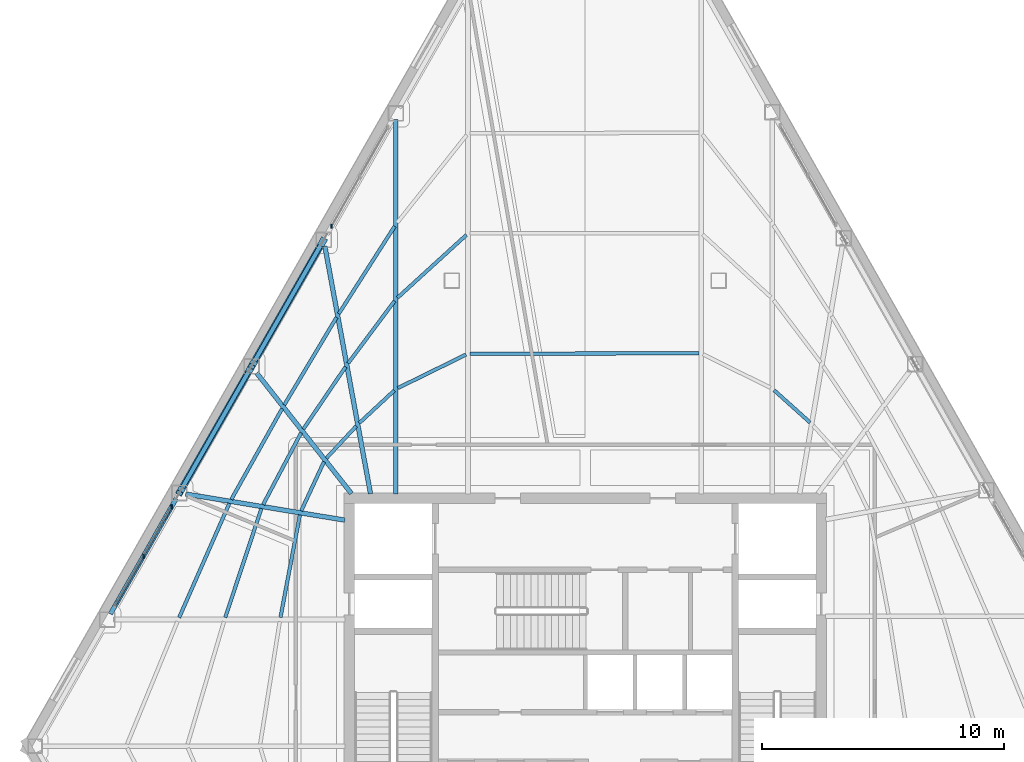
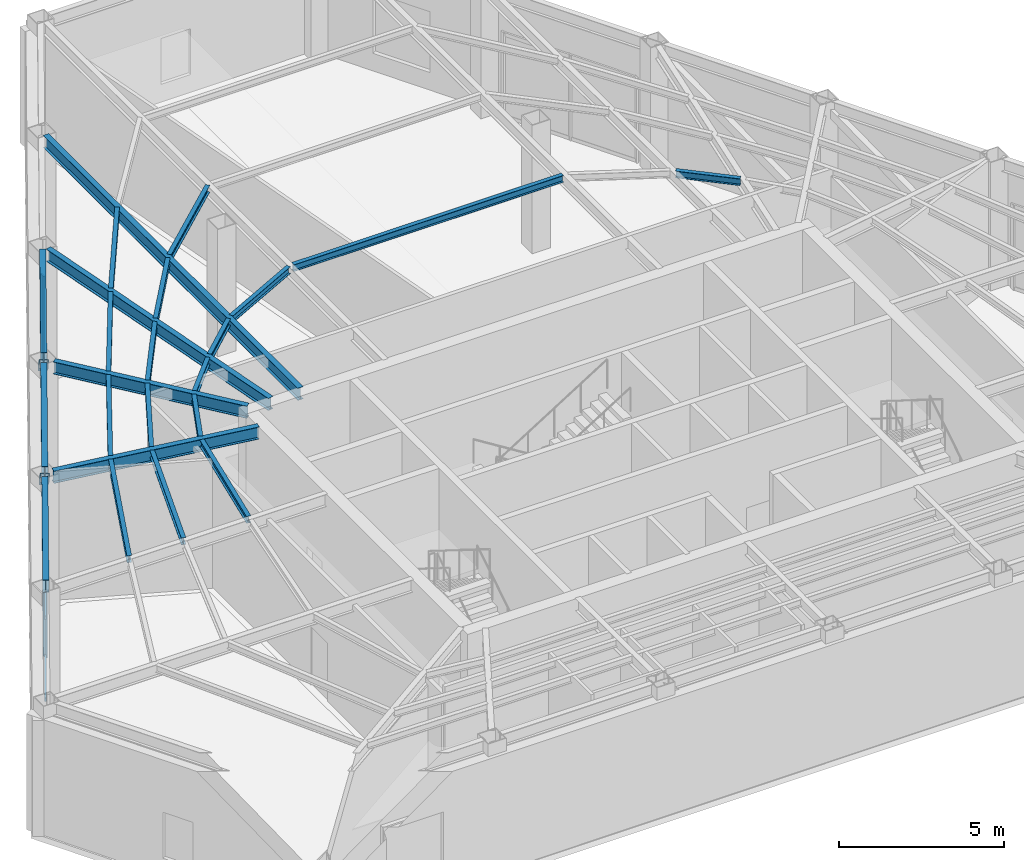
# One storey, part 4 of 14: 23 beams, 7 members, 2 elements without a shape of their own.
"""IFC4 building model written with IfcOpenShell, lengths in metres."""

from ifc_helpers import new_model, si_unit, direction, frame, origin, origin_2d, place, context, subcontext, project, spatial, rectangle, hollow_rectangle, i_section, extrude, material, layer, layer_set, material_profile, profile_set, type_object, element, aggregate, save


model = new_model("IFC4")

# Units and contexts
model_context = context("Model", 3, precision=1e-05, world=origin(), true_north=direction((0.0, 1.0)))
body_context = subcontext(model_context, "Body", "Model", "MODEL_VIEW")
ifc_project = project(units=[si_unit("LENGTHUNIT", "METRE"), si_unit("AREAUNIT", "SQUARE_METRE"), si_unit("VOLUMEUNIT", "CUBIC_METRE"), si_unit("PLANEANGLEUNIT", "RADIAN"), si_unit("MASSUNIT", "GRAM", prefix="KILO")], contexts=[model_context])

# Site, building, storey
site_placement = place(None, origin())
site = spatial("IfcSite", under=ifc_project, at=site_placement, CompositionType="ELEMENT")
building_placement = place(site_placement, origin())
building = spatial("IfcBuilding", under=site, at=building_placement, Name="Kavelnor Concourse Tower", CompositionType="ELEMENT")
storey_placement = place(building_placement, frame((0.0, 0.0, 160.0)))
storey = spatial("IfcBuildingStorey", under=building, at=storey_placement, Name="L40", CompositionType="ELEMENT", Elevation=160.0)

# Beams
ifc_material_1 = material(Name="Steel Grade 350", Category="steel")
ifc_material_profile_1 = material_profile(ifc_material_1, i_section(OverallWidth=0.14599609375, OverallDepth=0.256103515625, WebThickness=0.00634765625, FlangeThickness=0.010986328125, at=origin_2d()), Name="250UB37")
ifc_profile_set_1 = profile_set([ifc_material_profile_1], Name="Steel Grade 350")
beam_type_1 = type_object("IfcBeamType", Name="BM-JOIST-250", PredefinedType="JOIST", material=ifc_profile_set_1)
beam_1_placement = place(storey_placement, frame((47.27490234375, 25.940673828125, 4.6220703125), z_axis=(-0.743767477314, 0.668438433732, 0.0), x_axis=(-0.668438433732, -0.743767477314, 0.0)))
element("IfcBeam", 1, at=beam_1_placement, inside=storey, type_object=beam_type_1, Name="L40 Secondary Composite Joist 13-1", PredefinedType="JOIST", context=body_context, shape_type="SweptSolid", body=[
    extrude(i_section(OverallWidth=0.14599609375, OverallDepth=0.256103515625, WebThickness=0.00634765625, FlangeThickness=0.010986328125, at=origin_2d()), origin(), (0.0, 0.0, 1.0), 1.999755859375),
])
beam_2_placement = place(storey_placement, frame((42.689697265625, 28.792724609375, 4.6220703125), z_axis=(-0.999999566483, -0.000931146459, 0.0), x_axis=(0.000931146459, -0.999999566483, 0.0)))
element("IfcBeam", 2, at=beam_2_placement, inside=storey, type_object=beam_type_1, Name="L40 Secondary Composite Joist 15-1", PredefinedType="JOIST", context=body_context, shape_type="SweptSolid", body=[
    extrude(i_section(OverallWidth=0.14599609375, OverallDepth=0.256103515625, WebThickness=0.00634765625, FlangeThickness=0.010986328125, at=origin_2d()), origin(), (0.0, 0.0, 1.0), 9.43896484375),
])
beam_3_placement = place(storey_placement, frame((33.081787109375, 28.74462890625, 4.6220703125), z_axis=(-0.897639081402, -0.440731300841, 0.0), x_axis=(0.440731300841, -0.897639081402, 0.0)))
element("IfcBeam", 3, at=beam_3_placement, inside=storey, type_object=beam_type_1, Name="L40 Secondary Composite Joist 16-1", PredefinedType="JOIST", context=body_context, shape_type="SweptSolid", body=[
    extrude(i_section(OverallWidth=0.14599609375, OverallDepth=0.256103515625, WebThickness=0.00634765625, FlangeThickness=0.010986328125, at=origin_2d()), origin(), (0.0, 0.0, 1.0), 3.13916015625),
])
beam_4_placement = place(storey_placement, frame((33.095947265625, 33.681396484375, 4.6220703125), z_axis=(-0.738938207024, -0.673773200863, 0.0), x_axis=(0.673773200863, -0.738938207024, 0.0)))
element("IfcBeam", 4, at=beam_4_placement, inside=storey, type_object=beam_type_1, Name="L40 Secondary Composite Joist 16-2", PredefinedType="JOIST", context=body_context, shape_type="SweptSolid", body=[
    extrude(i_section(OverallWidth=0.14599609375, OverallDepth=0.256103515625, WebThickness=0.00634765625, FlangeThickness=0.010986328125, at=origin_2d()), origin(), (0.0, 0.0, 1.0), 3.851318359375),
])
beam_5_placement = place(storey_placement, frame((30.118896484375, 27.26123046875, 4.6220703125), z_axis=(-0.732373702553, -0.680902900426, 0.0), x_axis=(0.680902900426, -0.732373702553, 0.0)))
element("IfcBeam", 5, at=beam_5_placement, inside=storey, type_object=beam_type_1, Name="L40 Secondary Composite Joist 17-1", PredefinedType="JOIST", context=body_context, shape_type="SweptSolid", body=[
    extrude(i_section(OverallWidth=0.14599609375, OverallDepth=0.256103515625, WebThickness=0.00634765625, FlangeThickness=0.010986328125, at=origin_2d()), origin(), (0.0, 0.0, 1.0), 1.968505859375),
])
beam_6_placement = place(storey_placement, frame((30.130859375, 30.955078125, 4.6220703125), z_axis=(-0.597806476902, -0.80164045318, 0.0), x_axis=(0.80164045318, -0.597806476902, 0.0)))
element("IfcBeam", 6, at=beam_6_placement, inside=storey, type_object=beam_type_1, Name="L40 Secondary Composite Joist 17-2", PredefinedType="JOIST", context=body_context, shape_type="SweptSolid", body=[
    extrude(i_section(OverallWidth=0.14599609375, OverallDepth=0.256103515625, WebThickness=0.00634765625, FlangeThickness=0.010986328125, at=origin_2d()), origin(), (0.0, 0.0, 1.0), 3.208740234375),
])
beam_7_placement = place(storey_placement, frame((30.13623046875, 34.03857421875, 4.6220703125), z_axis=(-0.53837578416, -0.842704880151, 0.0), x_axis=(0.842704880151, -0.53837578416, 0.0)))
element("IfcBeam", 7, at=beam_7_placement, inside=storey, type_object=beam_type_1, Name="L40 Secondary Composite Joist 17-3", PredefinedType="JOIST", context=body_context, shape_type="SweptSolid", body=[
    extrude(i_section(OverallWidth=0.14599609375, OverallDepth=0.256103515625, WebThickness=0.00634765625, FlangeThickness=0.010986328125, at=origin_2d()), origin(), (0.0, 0.0, 1.0), 4.283203125),
])
beam_8_placement = place(storey_placement, frame((28.551513671875, 25.795166015625, 4.6220703125), z_axis=(-0.680920940419, -0.732356929986, 0.0), x_axis=(0.732356929986, -0.680920940419, 0.0)))
element("IfcBeam", 8, at=beam_8_placement, inside=storey, type_object=beam_type_1, Name="L40 Secondary Composite Joist 18-1", PredefinedType="JOIST", context=body_context, shape_type="SweptSolid", body=[
    extrude(i_section(OverallWidth=0.14599609375, OverallDepth=0.256103515625, WebThickness=0.00634765625, FlangeThickness=0.010986328125, at=origin_2d()), origin(), (0.0, 0.0, 1.0), 1.813232421875),
])
beam_9_placement = place(storey_placement, frame((28.109619140625, 28.23779296875, 4.6220703125), z_axis=(-0.561436001653, -0.827520160508, 0.0), x_axis=(0.827520160508, -0.561436001653, 0.0)))
element("IfcBeam", 9, at=beam_9_placement, inside=storey, type_object=beam_type_1, Name="L40 Secondary Composite Joist 18-2", PredefinedType="JOIST", context=body_context, shape_type="SweptSolid", body=[
    extrude(i_section(OverallWidth=0.14599609375, OverallDepth=0.256103515625, WebThickness=0.00634765625, FlangeThickness=0.010986328125, at=origin_2d()), origin(), (0.0, 0.0, 1.0), 3.10302734375),
])
beam_10_placement = place(storey_placement, frame((27.73681640625, 30.27783203125, 4.6220703125), z_axis=(-0.512786891324, -0.858515931178, 0.0), x_axis=(0.858515931178, -0.512786891324, 0.0)))
element("IfcBeam", 10, at=beam_10_placement, inside=storey, type_object=beam_type_1, Name="L40 Secondary Composite Joist 18-3", PredefinedType="JOIST", context=body_context, shape_type="SweptSolid", body=[
    extrude(i_section(OverallWidth=0.14599609375, OverallDepth=0.256103515625, WebThickness=0.00634765625, FlangeThickness=0.010986328125, at=origin_2d()), origin(), (0.0, 0.0, 1.0), 4.20458984375),
])
beam_11_placement = place(storey_placement, frame((27.21875, 24.3212890625, 4.6220703125), z_axis=(-0.421143420319, -0.906994057049, 0.0), x_axis=(0.906994057049, -0.421143420319, 0.0)))
element("IfcBeam", 11, at=beam_11_placement, inside=storey, type_object=beam_type_1, Name="L40 Secondary Composite Joist 19-1", PredefinedType="JOIST", context=body_context, shape_type="SweptSolid", body=[
    extrude(i_section(OverallWidth=0.14599609375, OverallDepth=0.256103515625, WebThickness=0.00634765625, FlangeThickness=0.010986328125, at=origin_2d()), origin(), (0.0, 0.0, 1.0), 2.233642578125),
])
beam_12_placement = place(storey_placement, frame((26.27587890625, 25.517578125, 4.6220703125), z_axis=(-0.467871006935, -0.88379676446, 0.0), x_axis=(0.88379676446, -0.467871006935, 0.0)))
element("IfcBeam", 12, at=beam_12_placement, inside=storey, type_object=beam_type_1, Name="L40 Secondary Composite Joist 19-2", PredefinedType="JOIST", context=body_context, shape_type="SweptSolid", body=[
    extrude(i_section(OverallWidth=0.14599609375, OverallDepth=0.256103515625, WebThickness=0.00634765625, FlangeThickness=0.010986328125, at=origin_2d()), origin(), (0.0, 0.0, 1.0), 3.355712890625),
])
beam_13_placement = place(storey_placement, frame((25.49169921875, 26.513916015625, 4.6220703125), z_axis=(-0.488406028556, -0.872616497249, 0.0), x_axis=(0.872616497249, -0.488406028556, 0.0)))
element("IfcBeam", 13, at=beam_13_placement, inside=storey, type_object=beam_type_1, Name="L40 Secondary Composite Joist 19-3", PredefinedType="JOIST", context=body_context, shape_type="SweptSolid", body=[
    extrude(i_section(OverallWidth=0.14599609375, OverallDepth=0.256103515625, WebThickness=0.00634765625, FlangeThickness=0.010986328125, at=origin_2d()), origin(), (0.0, 0.0, 1.0), 4.294921875),
])
beam_14_placement = place(storey_placement, frame((26.22412109375, 22.127197265625, 4.6220703125), z_axis=(-0.186035265011, -0.982543067846, 0.0), x_axis=(0.982543067846, -0.186035265011, 0.0)))
element("IfcBeam", 14, at=beam_14_placement, inside=storey, type_object=beam_type_1, Name="L40 Secondary Composite Joist 20-1", PredefinedType="JOIST", context=body_context, shape_type="SweptSolid", body=[
    extrude(i_section(OverallWidth=0.14599609375, OverallDepth=0.256103515625, WebThickness=0.00634765625, FlangeThickness=0.010986328125, at=origin_2d()), origin(), (0.0, 0.0, 1.0), 4.30322265625),
])
beam_15_placement = place(storey_placement, frame((24.63623046875, 22.388671875, 4.6220703125), z_axis=(-0.315268338676, -0.949002568294, 0.0), x_axis=(0.949002568294, -0.315268338676, 0.0)))
element("IfcBeam", 15, at=beam_15_placement, inside=storey, type_object=beam_type_1, Name="L40 Secondary Composite Joist 20-2", PredefinedType="JOIST", context=body_context, shape_type="SweptSolid", body=[
    extrude(i_section(OverallWidth=0.14599609375, OverallDepth=0.256103515625, WebThickness=0.00634765625, FlangeThickness=0.010986328125, at=origin_2d()), origin(), (0.0, 0.0, 1.0), 4.73388671875),
])
beam_16_placement = place(storey_placement, frame((23.31494140625, 22.60693359375, 4.6220703125), z_axis=(-0.402536813003, -0.915403798428, 0.0), x_axis=(0.915403798428, -0.402536813003, 0.0)))
element("IfcBeam", 16, at=beam_16_placement, inside=storey, type_object=beam_type_1, Name="L40 Secondary Composite Joist 20-3", PredefinedType="JOIST", context=body_context, shape_type="SweptSolid", body=[
    extrude(i_section(OverallWidth=0.14599609375, OverallDepth=0.256103515625, WebThickness=0.00634765625, FlangeThickness=0.010986328125, at=origin_2d()), origin(), (0.0, 0.0, 1.0), 5.149169921875),
])
ifc_material_profile_2 = material_profile(ifc_material_1, i_section(OverallWidth=0.18994140625, OverallDepth=0.4541015625, WebThickness=0.008544921875, FlangeThickness=0.0126953125, at=origin_2d()), Name="460UB67")
ifc_profile_set_2 = profile_set([ifc_material_profile_2], Name="Steel Grade 350")
beam_type_2 = type_object("IfcBeamType", Name="BM-PRIMARY-460", PredefinedType="BEAM", material=ifc_profile_set_2)
beam_17_placement = place(storey_placement, frame((30.18408203125, 23.0, 4.52294921875), z_axis=(0.0, 1.0, 0.0), x_axis=(-1.0, 0.0, 0.0)))
element("IfcBeam", 17, at=beam_17_placement, inside=storey, type_object=beam_type_2, Name="L40 Primary Floor Girder F0-B1", PredefinedType="BEAM", context=body_context, shape_type="SweptSolid", body=[
    extrude(i_section(OverallWidth=0.18994140625, OverallDepth=0.4541015625, WebThickness=0.008544921875, FlangeThickness=0.0126953125, at=origin_2d()), origin(), (0.0, 0.0, 1.0), 15.435546875),
])
beam_18_placement = place(storey_placement, frame((29.139892578125, 23.000732421875, 4.52294921875), z_axis=(-0.181547129725, 0.983382244953, 0.0), x_axis=(-0.983382244953, -0.181547129725, 0.0)))
element("IfcBeam", 18, at=beam_18_placement, inside=storey, type_object=beam_type_2, Name="L40 Primary Floor Girder F0-B2", PredefinedType="BEAM", context=body_context, shape_type="SweptSolid", body=[
    extrude(i_section(OverallWidth=0.18994140625, OverallDepth=0.4541015625, WebThickness=0.008544921875, FlangeThickness=0.0126953125, at=origin_2d()), origin(), (0.0, 0.0, 1.0), 10.3857421875),
])
beam_19_placement = place(storey_placement, frame((28.3515625, 23.008544921875, 4.52294921875), z_axis=(-0.61796462698, 0.786205901658, 0.0), x_axis=(-0.786205901658, -0.61796462698, 0.0)))
element("IfcBeam", 19, at=beam_19_placement, inside=storey, type_object=beam_type_2, Name="L40 Primary Floor Girder F0-B3", PredefinedType="BEAM", context=body_context, shape_type="SweptSolid", body=[
    extrude(i_section(OverallWidth=0.18994140625, OverallDepth=0.4541015625, WebThickness=0.008544921875, FlangeThickness=0.0126953125, at=origin_2d()), origin(), (0.0, 0.0, 1.0), 6.329833984375),
])
beam_20_placement = place(storey_placement, frame((28.07958984375, 21.9130859375, 4.52294921875), z_axis=(-0.986822768582, 0.161804893027, 0.0), x_axis=(-0.161804893027, -0.986822768582, 0.0)))
element("IfcBeam", 20, at=beam_20_placement, inside=storey, type_object=beam_type_2, Name="L40 Primary Floor Girder F0-B4", PredefinedType="BEAM", context=body_context, shape_type="SweptSolid", body=[
    extrude(i_section(OverallWidth=0.18994140625, OverallDepth=0.4541015625, WebThickness=0.008544921875, FlangeThickness=0.0126953125, at=origin_2d()), origin(), (0.0, 0.0, 1.0), 6.655517578125),
])
ifc_material_profile_3 = material_profile(ifc_material_1, i_section(OverallWidth=0.19091796875, OverallDepth=0.4599609375, WebThickness=0.010009765625, FlangeThickness=0.01611328125, at=origin_2d()), Name="460UB82")
ifc_profile_set_3 = profile_set([ifc_material_profile_3], Name="Steel Grade 350")
beam_type_3 = type_object("IfcBeamType", Name="BM-SPANDREL-Z3", PredefinedType="SPANDREL", material=ifc_profile_set_3)
for number, where, z_axis, x_axis, name in (
    (21, (27.0751953125, 33.244384765625, 4.52001953125), (-0.495423938021, -0.868651323395, 0.0), (0.868651323395, -0.495423938021, 0.0), "L40 Perimeter Tube Spandrel Beam F0-B2"),
    (22, (24.097412109375, 28.0234375, 4.52001953125), (-0.495390322605, -0.868670494647, 0.0), (0.868670494647, -0.495390322605, 0.0), "L40 Perimeter Tube Spandrel Beam F0-B3"),
    (23, (21.119873046875, 22.802490234375, 4.52001953125), (-0.495423938021, -0.868651323395, 0.0), (0.868651323395, -0.495423938021, 0.0), "L40 Perimeter Tube Spandrel Beam F0-B4"),
):
    element("IfcBeam", number, at=place(storey_placement, frame(where, z_axis=z_axis, x_axis=x_axis)), inside=storey, type_object=beam_type_3, Name=name, PredefinedType="SPANDREL", context=body_context, shape_type="SweptSolid", body=[
        extrude(i_section(OverallWidth=0.19091796875, OverallDepth=0.4599609375, WebThickness=0.010009765625, FlangeThickness=0.01611328125, at=origin_2d()), origin(), (0.0, 0.0, 1.0), 5.480224609375),
    ])

# Curtain wall, member
ifc_material_2 = material(Name="Anodised aluminium 6063-T6", Category="aluminium")
ifc_layer = layer(ifc_material_2, 0.169921875, Name="Anodised aluminium 6063-T6")
ifc_layer_set = layer_set([ifc_layer], Name="Anodised aluminium 6063-T6")
curtain_wall_type = type_object("IfcCurtainWallType", Name="CW-SKYLOBBY-L40", PredefinedType="NOTDEFINED", material=ifc_layer_set)
curtain_wall_1_placement = place(storey_placement, origin())
curtain_wall_1 = element("IfcCurtainWall", 24, at=curtain_wall_1_placement, inside=storey, type_object=curtain_wall_type, Name="L40 Feature Curtain Wall F0-B1", PredefinedType="NOTDEFINED")
ifc_material_profile_4 = material_profile(ifc_material_2, rectangle(XDim=0.06005859375, YDim=0.169921875, at=origin_2d()), Name="AL-MULL 60x170")
ifc_profile_set_4 = profile_set([ifc_material_profile_4], Name="Anodised aluminium 6063-T6")
member_type_1 = type_object("IfcMemberType", Name="CW-SKYLOBBY-L40-MULL", PredefinedType="MULLION", material=ifc_profile_set_4)
member_1_placement = place(storey_placement, frame((27.5283203125, 34.039306640625, 0.0), z_axis=(0.0, 0.0, 1.0), x_axis=(1.0, 0.0, 0.0)))
member_1 = element("IfcMember", 25, at=member_1_placement, type_object=member_type_1, Name="L40 Feature Curtain Wall F0-B1 Mullion 2", PredefinedType="MULLION", context=body_context, shape_type="SweptSolid", body=[
    extrude(rectangle(XDim=0.06005859375, YDim=0.169921875, at=origin_2d()), origin(), (0.0, 0.0, 1.0), 3.14990234375),
])
aggregate(curtain_wall_1, [member_1])

# Curtain wall, members
curtain_wall_2_placement = place(storey_placement, origin())
curtain_wall_2 = element("IfcCurtainWall", 26, at=curtain_wall_2_placement, inside=storey, type_object=curtain_wall_type, Name="L40 Feature Curtain Wall F0-B4", PredefinedType="NOTDEFINED")
member_2_placement = place(storey_placement, frame((20.92919921875, 22.468017578125, 0.0), z_axis=(0.0, 0.0, 1.0), x_axis=(1.0, 0.0, 0.0)))
member_2 = element("IfcMember", 27, at=member_2_placement, type_object=member_type_1, Name="L40 Feature Curtain Wall F0-B4 Mullion 0", PredefinedType="MULLION", context=body_context, shape_type="SweptSolid", body=[
    extrude(rectangle(XDim=0.06005859375, YDim=0.169921875, at=origin_2d()), origin(), (0.0, 0.0, 1.0), 3.14990234375),
])
member_3_placement = place(storey_placement, frame((19.762451171875, 20.422119140625, 0.0), z_axis=(0.0, 0.0, 1.0), x_axis=(1.0, 0.0, 0.0)))
member_3 = element("IfcMember", 28, at=member_3_placement, type_object=member_type_1, Name="L40 Feature Curtain Wall F0-B4 Mullion 1", PredefinedType="MULLION", context=body_context, shape_type="SweptSolid", body=[
    extrude(rectangle(XDim=0.06005859375, YDim=0.169921875, at=origin_2d()), origin(), (0.0, 0.0, 1.0), 3.14990234375),
])
ifc_material_profile_5 = material_profile(ifc_material_2, rectangle(XDim=0.06005859375, YDim=0.139892578125, at=origin_2d()), Name="AL-TRAN 60x140")
ifc_profile_set_5 = profile_set([ifc_material_profile_5], Name="Anodised aluminium 6063-T6")
member_type_2 = type_object("IfcMemberType", Name="CW-SKYLOBBY-L40-TRAN", PredefinedType="USERDEFINED", material=ifc_profile_set_5)
member_4_placement = place(storey_placement, frame((20.92919921875, 22.468017578125, 0.06005859375), z_axis=(-0.495452222269, -0.868635191233, 0.0), x_axis=(0.868635191233, -0.495452222269, 0.0)))
member_4 = element("IfcMember", 29, at=member_4_placement, type_object=member_type_2, Name="L40 Feature Curtain Wall F0-B4 Transom 0-BOT", ObjectType="TRANSOM", PredefinedType="USERDEFINED", context=body_context, shape_type="SweptSolid", body=[
    extrude(rectangle(XDim=0.06005859375, YDim=0.139892578125, at=origin_2d()), origin(), (0.0, 0.0, 1.0), 4.710205078125),
])
member_5_placement = place(storey_placement, frame((20.92919921875, 22.468017578125, 3.090087890625), z_axis=(-0.495452222269, -0.868635191233, 0.0), x_axis=(0.868635191233, -0.495452222269, 0.0)))
member_5 = element("IfcMember", 30, at=member_5_placement, type_object=member_type_2, Name="L40 Feature Curtain Wall F0-B4 Transom 0-TOP", ObjectType="TRANSOM", PredefinedType="USERDEFINED", context=body_context, shape_type="SweptSolid", body=[
    extrude(rectangle(XDim=0.06005859375, YDim=0.139892578125, at=origin_2d()), origin(), (0.0, 0.0, 1.0), 4.710205078125),
])
aggregate(curtain_wall_2, [member_2, member_3, member_4, member_5])

# Members
ifc_material_profile_6 = material_profile(ifc_material_1, hollow_rectangle(XDim=0.280029296875, YDim=0.280029296875, WallThickness=0.01611328125, at=origin_2d()), Name="SHS 280x280x16")
ifc_profile_set_6 = profile_set([ifc_material_profile_6], Name="Steel Grade 350")
member_type_3 = type_object("IfcMemberType", Name="MBR-TUBE-DIAG-Z3", PredefinedType="BRACE", material=ifc_profile_set_6)
for number, where, z_axis, x_axis, name in (
    (31, (27.206298828125, 33.474609375, 0.219970703125), (-0.40290595738, -0.706472933631, 0.581861481415), (0.868662781376, -0.495403847635, 0.0), "L40 Framed-Tube Bracing Diagonal F0-B2"),
    (32, (24.228759765625, 28.253662109375, 0.219970703125), (-0.40290595738, -0.706472933631, 0.581861481415), (0.868662781376, -0.495403847635, 0.0), "L40 Framed-Tube Bracing Diagonal F0-B3"),
):
    element("IfcMember", number, at=place(storey_placement, frame(where, z_axis=z_axis, x_axis=x_axis)), inside=storey, type_object=member_type_3, Name=name, PredefinedType="BRACE", context=body_context, shape_type="SweptSolid", body=[
        extrude(hollow_rectangle(XDim=0.280029296875, YDim=0.280029296875, WallThickness=0.01611328125, at=origin_2d()), origin(), (0.0, 0.0, 1.0), 7.39013671875),
    ])

save(model, "model.ifc")
